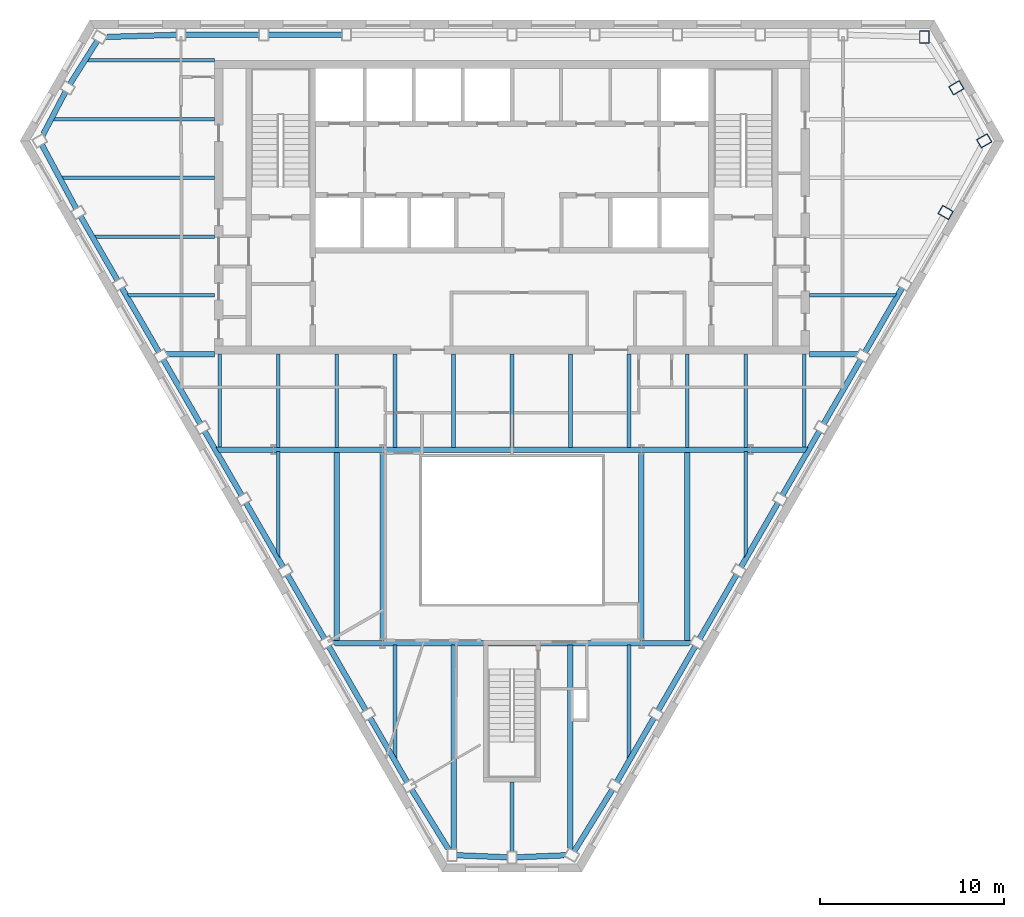
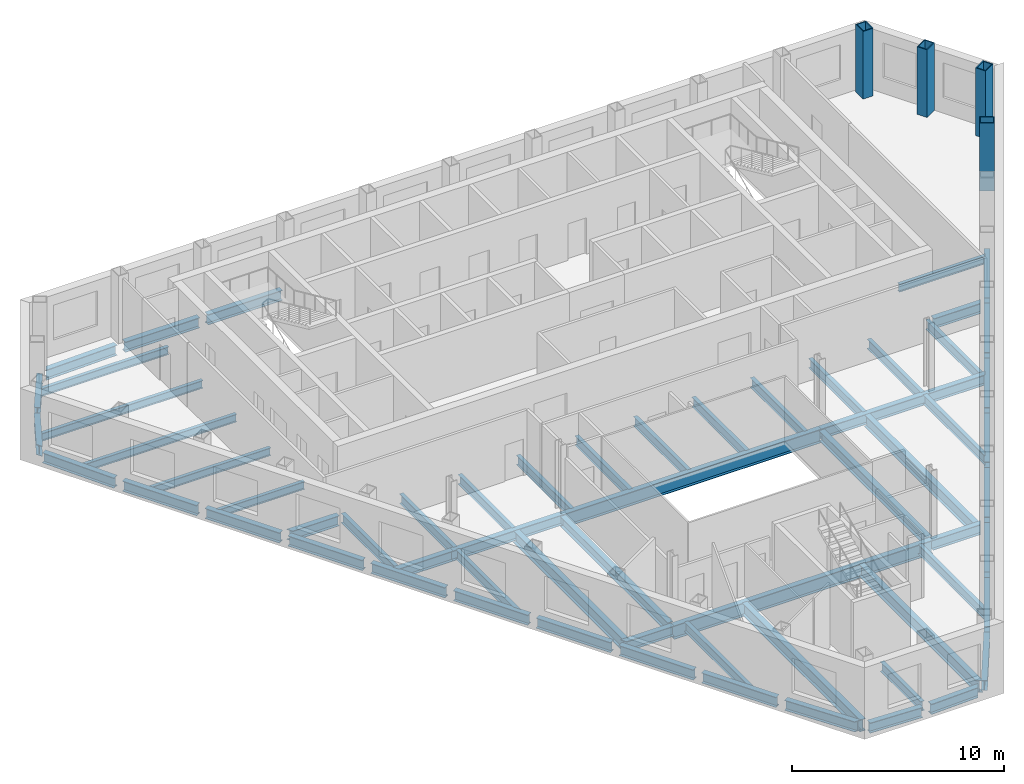
# One storey, part 2 of 10: 63 beams, 4 columns.
"""IFC4 building model written with IfcOpenShell, lengths in metres."""

from ifc_helpers import new_model, si_unit, direction, frame, origin, origin_2d, place, context, subcontext, project, spatial, hollow_rectangle, i_section, extrude, clip, halfspace, material, material_profile, profile_set, type_object, element, save


model = new_model("IFC4")

# Units and contexts
model_context = context("Model", 3, precision=1e-05, world=origin(), true_north=direction((0.0, 1.0)))
body_context = subcontext(model_context, "Body", "Model", "MODEL_VIEW")
ifc_project = project(units=[si_unit("LENGTHUNIT", "METRE"), si_unit("AREAUNIT", "SQUARE_METRE"), si_unit("VOLUMEUNIT", "CUBIC_METRE"), si_unit("PLANEANGLEUNIT", "RADIAN"), si_unit("MASSUNIT", "GRAM", prefix="KILO")], contexts=[model_context])

# Site, building, storey
site_placement = place(None, origin())
site = spatial("IfcSite", under=ifc_project, at=site_placement, CompositionType="ELEMENT")
building_placement = place(site_placement, origin())
building = spatial("IfcBuilding", under=site, at=building_placement, Name="Njiva Tower", CompositionType="ELEMENT")
storey_placement = place(building_placement, frame((0.0, 0.0, 200.4)))
storey = spatial("IfcBuildingStorey", under=building, at=storey_placement, Name="L44", CompositionType="ELEMENT", Elevation=200.4)

# Columns
ifc_material = material(Name="Steel S355 J2", Category="steel")
ifc_material_profile_1 = material_profile(ifc_material, hollow_rectangle(XDim=0.55, YDim=0.7, WallThickness=0.05, at=origin_2d()), Name="BOX 700x550x50")
ifc_profile_set_1 = profile_set([ifc_material_profile_1], Name="Steel S355 J2")
column_type = type_object("IfcColumnType", Name="C11 Perimeter tube column BOX 700x550x50", PredefinedType="COLUMN", material=ifc_profile_set_1)
for number, where, z_axis, x_axis, name in (
    (1, (22.461, 19.267, 0.0), (0.0, 0.0, 1.0), (-1.0, 0.0, 0.0), "Perimeter tube column S14-C01"),
    (2, (23.622, 9.714, 0.0), (0.0, 0.0, 1.0), (0.5, 0.866025403784, 0.0), "Perimeter tube column S14-C34"),
    (3, (25.723, 13.618, 0.0), (0.0, 0.0, 1.0), (-0.5, 0.866025403784, 0.0), "Perimeter tube column S14-C35"),
    (4, (24.207, 16.509, 0.0), (0.0, 0.0, 1.0), (-0.5, 0.866025403784, 0.0), "Perimeter tube column S14-C36"),
):
    element("IfcColumn", number, at=place(storey_placement, frame(where, z_axis=z_axis, x_axis=x_axis)), inside=storey, type_object=column_type, Name=name, PredefinedType="COLUMN", context=body_context, shape_type="SweptSolid", body=[
        extrude(hollow_rectangle(XDim=0.55, YDim=0.7, WallThickness=0.05, at=origin_2d()), origin(), (0.0, 0.0, 1.0), 3.9),
    ])

# Beams
ifc_material_profile_2 = material_profile(ifc_material, i_section(OverallWidth=0.3, OverallDepth=0.69, WebThickness=0.0145, FlangeThickness=0.027, at=origin_2d()), Name="HEA 700")
ifc_profile_set_2 = profile_set([ifc_material_profile_2], Name="Steel S355 J2")
beam_type_1 = type_object("IfcBeamType", Name="B12 Long-span floor joist HEA 700", PredefinedType="JOIST", material=ifc_profile_set_2)
beam_1_placement = place(storey_placement, frame((-9.55, -3.3, -0.545), z_axis=(0.0, -1.0, 0.0), x_axis=(1.0, 0.0, 0.0)))
element("IfcBeam", 5, at=beam_1_placement, inside=storey, type_object=beam_type_1, Name="Long-span floor joist S14-B055", PredefinedType="JOIST", context=body_context, shape_type="SweptSolid", body=[
    extrude(i_section(OverallWidth=0.3, OverallDepth=0.69, WebThickness=0.0145, FlangeThickness=0.027, at=origin_2d()), origin(), (0.0, 0.0, 1.0), 10.35),
])
beam_2_placement = place(storey_placement, frame((-3.183, -13.85, -0.545), z_axis=(0.0, -1.0, 0.0), x_axis=(1.0, 0.0, 0.0)))
element("IfcBeam", 6, at=beam_2_placement, inside=storey, type_object=beam_type_1, Name="Long-span floor joist S14-B060", PredefinedType="JOIST", context=body_context, shape_type="SweptSolid", body=[
    extrude(i_section(OverallWidth=0.3, OverallDepth=0.69, WebThickness=0.0145, FlangeThickness=0.027, at=origin_2d()), origin(), (0.0, 0.0, 1.0), 11.136),
])
beam_3_placement = place(storey_placement, frame((3.183, -13.85, -0.545), z_axis=(0.0, -1.0, 0.0), x_axis=(1.0, 0.0, 0.0)))
element("IfcBeam", 7, at=beam_3_placement, inside=storey, type_object=beam_type_1, Name="Long-span floor joist S14-B066", PredefinedType="JOIST", context=body_context, shape_type="Clipping", body=[
    clip(extrude(i_section(OverallWidth=0.3, OverallDepth=0.69, WebThickness=0.0145, FlangeThickness=0.027, at=origin_2d()), origin(), (0.0, 0.0, 1.0), 11.212), halfspace(frame((-0.0247, 0.0, 11.1169), z_axis=(-0.499998009787, 0.0, 0.866026552831), x_axis=(0.0, 1.0, 0.0)), False)),
])
beam_4_placement = place(storey_placement, frame((9.55, -3.3, -0.545), z_axis=(0.0, -1.0, 0.0), x_axis=(1.0, 0.0, 0.0)))
element("IfcBeam", 8, at=beam_4_placement, inside=storey, type_object=beam_type_1, Name="Long-span floor joist S14-B070", PredefinedType="JOIST", context=body_context, shape_type="SweptSolid", body=[
    extrude(i_section(OverallWidth=0.3, OverallDepth=0.69, WebThickness=0.0145, FlangeThickness=0.027, at=origin_2d()), origin(), (0.0, 0.0, 1.0), 10.35),
])
ifc_material_profile_3 = material_profile(ifc_material, i_section(OverallWidth=0.3, OverallDepth=0.59, WebThickness=0.013, FlangeThickness=0.025, at=origin_2d()), Name="HEA 600")
ifc_profile_set_3 = profile_set([ifc_material_profile_3], Name="Steel S355 J2")
beam_type_2 = type_object("IfcBeamType", Name="B27 Short-span spandrel beam HEA 600", PredefinedType="SPANDREL", material=ifc_profile_set_3)
beam_5_placement = place(storey_placement, frame((-9.24, 19.4, -0.495), z_axis=(-1.0, 0.0, 0.0), x_axis=(0.0, -1.0, 0.0)))
element("IfcBeam", 9, at=beam_5_placement, inside=storey, type_object=beam_type_2, Name="Short-span spandrel beam S14-B099", PredefinedType="SPANDREL", context=body_context, shape_type="SweptSolid", body=[
    extrude(i_section(OverallWidth=0.3, OverallDepth=0.59, WebThickness=0.013, FlangeThickness=0.025, at=origin_2d()), origin(), (0.0, 0.0, 1.0), 4.058),
])
beam_6_placement = place(storey_placement, frame((-13.748, 19.4, -0.495), z_axis=(-1.0, 0.0, 0.0), x_axis=(0.0, -1.0, 0.0)))
element("IfcBeam", 10, at=beam_6_placement, inside=storey, type_object=beam_type_2, Name="Short-span spandrel beam S14-B094", PredefinedType="SPANDREL", context=body_context, shape_type="SweptSolid", body=[
    extrude(i_section(OverallWidth=0.3, OverallDepth=0.59, WebThickness=0.013, FlangeThickness=0.025, at=origin_2d()), origin(), (0.0, 0.0, 1.0), 4.057),
])
beam_7_placement = place(storey_placement, frame((-18.259, 19.393, -0.495), z_axis=(-0.999546404273, -0.03011620335, 0.0), x_axis=(0.03011620335, -0.999546404273, 0.0)))
element("IfcBeam", 11, at=beam_7_placement, inside=storey, type_object=beam_type_2, Name="Short-span spandrel beam S14-B089", PredefinedType="SPANDREL", context=body_context, shape_type="Clipping", body=[
    clip(extrude(i_section(OverallWidth=0.3, OverallDepth=0.59, WebThickness=0.013, FlangeThickness=0.025, at=origin_2d()), origin(), (0.0, 0.0, 1.0), 3.9647), halfspace(frame((-0.0268, 0.0, 3.835), z_axis=(-0.525852644597, 0.0, 0.850575685151), x_axis=(0.0, 1.0, 0.0)), False)),
])
beam_8_placement = place(storey_placement, frame((-22.584, 19.072, -0.495), z_axis=(-0.535119977312, -0.84477607085, 0.0), x_axis=(0.84477607085, -0.535119977312, 0.0)))
element("IfcBeam", 12, at=beam_8_placement, inside=storey, type_object=beam_type_2, Name="Short-span spandrel beam S14-B086", PredefinedType="SPANDREL", context=body_context, shape_type="SweptSolid", body=[
    extrude(i_section(OverallWidth=0.3, OverallDepth=0.59, WebThickness=0.013, FlangeThickness=0.025, at=origin_2d()), origin(), (0.0, 0.0, 1.0), 2.8031),
])
beam_9_placement = place(storey_placement, frame((-24.314, 16.305, -0.495), z_axis=(-0.464299843048, -0.885678076812, 0.0), x_axis=(0.885678076812, -0.464299843048, 0.0)))
element("IfcBeam", 13, at=beam_9_placement, inside=storey, type_object=beam_type_2, Name="Short-span spandrel beam S14-B083", PredefinedType="SPANDREL", context=body_context, shape_type="Clipping", body=[
    clip(extrude(i_section(OverallWidth=0.3, OverallDepth=0.59, WebThickness=0.013, FlangeThickness=0.025, at=origin_2d()), origin(), (0.0, 0.0, 1.0), 2.7943), halfspace(frame((-0.0268, 0.0, 2.6622), z_axis=(-0.534871734311, 0.0, 0.844933268273), x_axis=(0.0, 1.0, 0.0)), False)),
])
beam_10_placement = place(storey_placement, frame((-25.614, 13.417, -0.495), z_axis=(0.473574818702, -0.880753592721, 0.0), x_axis=(0.880753592721, 0.473574818702, 0.0)))
element("IfcBeam", 14, at=beam_10_placement, inside=storey, type_object=beam_type_2, Name="Short-span spandrel beam S14-B082", PredefinedType="SPANDREL", context=body_context, shape_type="SweptSolid", body=[
    extrude(i_section(OverallWidth=0.3, OverallDepth=0.59, WebThickness=0.013, FlangeThickness=0.025, at=origin_2d()), origin(), (0.0, 0.0, 1.0), 3.9761),
])
beam_11_placement = place(storey_placement, frame((-23.51, 9.519, -0.495), z_axis=(0.500142068684, -0.865943364853, 0.0), x_axis=(0.865943364853, 0.500142068684, 0.0)))
element("IfcBeam", 15, at=beam_11_placement, inside=storey, type_object=beam_type_2, Name="Short-span spandrel beam S14-B087", PredefinedType="SPANDREL", context=body_context, shape_type="SweptSolid", body=[
    extrude(i_section(OverallWidth=0.3, OverallDepth=0.59, WebThickness=0.013, FlangeThickness=0.025, at=origin_2d()), origin(), (0.0, 0.0, 1.0), 4.0568),
])
for number, where, z_axis, x_axis, name in (
    (16, (-21.256, 5.616, -0.495), (0.500035331196, -0.866005004348, 0.0), (0.866005004348, 0.500035331196, 0.0), "Short-span spandrel beam S14-B090"),
    (17, (-19.002, 1.712, -0.495), (0.500035331196, -0.866005004348, 0.0), (0.866005004348, 0.500035331196, 0.0), "Short-span spandrel beam S14-B092"),
):
    element("IfcBeam", number, at=place(storey_placement, frame(where, z_axis=z_axis, x_axis=x_axis)), inside=storey, type_object=beam_type_2, Name=name, PredefinedType="SPANDREL", context=body_context, shape_type="SweptSolid", body=[
        extrude(i_section(OverallWidth=0.3, OverallDepth=0.59, WebThickness=0.013, FlangeThickness=0.025, at=origin_2d()), origin(), (0.0, 0.0, 1.0), 4.0577),
    ])
beam_12_placement = place(storey_placement, frame((-16.748, -2.192, -0.495), z_axis=(0.499957196903, -0.866050114754, 0.0), x_axis=(0.866050114754, 0.499957196903, 0.0)))
element("IfcBeam", 18, at=beam_12_placement, inside=storey, type_object=beam_type_2, Name="Short-span spandrel beam S14-B095", PredefinedType="SPANDREL", context=body_context, shape_type="SweptSolid", body=[
    extrude(i_section(OverallWidth=0.3, OverallDepth=0.59, WebThickness=0.013, FlangeThickness=0.025, at=origin_2d()), origin(), (0.0, 0.0, 1.0), 4.0563),
])
for number, where, z_axis, x_axis, name in (
    (19, (-14.495, -6.095, -0.495), (0.500035331196, -0.866005004348, 0.0), (0.866005004348, 0.500035331196, 0.0), "Short-span spandrel beam S14-B097"),
    (20, (-12.241, -9.999, -0.495), (0.500035331196, -0.866005004348, 0.0), (0.866005004348, 0.500035331196, 0.0), "Short-span spandrel beam S14-B100"),
    (21, (-9.987, -13.903, -0.495), (0.500035331196, -0.866005004348, 0.0), (0.866005004348, 0.500035331196, 0.0), "Short-span spandrel beam S14-B102"),
):
    element("IfcBeam", number, at=place(storey_placement, frame(where, z_axis=z_axis, x_axis=x_axis)), inside=storey, type_object=beam_type_2, Name=name, PredefinedType="SPANDREL", context=body_context, shape_type="SweptSolid", body=[
        extrude(i_section(OverallWidth=0.3, OverallDepth=0.59, WebThickness=0.013, FlangeThickness=0.025, at=origin_2d()), origin(), (0.0, 0.0, 1.0), 4.0577),
    ])
beam_13_placement = place(storey_placement, frame((-7.733, -17.807, -0.495), z_axis=(0.499957196903, -0.866050114754, 0.0), x_axis=(0.866050114754, 0.499957196903, 0.0)))
element("IfcBeam", 22, at=beam_13_placement, inside=storey, type_object=beam_type_2, Name="Short-span spandrel beam S14-B105", PredefinedType="SPANDREL", context=body_context, shape_type="SweptSolid", body=[
    extrude(i_section(OverallWidth=0.3, OverallDepth=0.59, WebThickness=0.013, FlangeThickness=0.025, at=origin_2d()), origin(), (0.0, 0.0, 1.0), 4.0563),
])
beam_14_placement = place(storey_placement, frame((-5.472, -21.71, -0.495), z_axis=(0.525791356516, -0.850613572319, 0.0), x_axis=(0.850613572319, 0.525791356516, 0.0)))
element("IfcBeam", 23, at=beam_14_placement, inside=storey, type_object=beam_type_2, Name="Short-span spandrel beam S14-B107", PredefinedType="SPANDREL", context=body_context, shape_type="Clipping", body=[
    clip(extrude(i_section(OverallWidth=0.3, OverallDepth=0.59, WebThickness=0.013, FlangeThickness=0.025, at=origin_2d()), origin(), (0.0, 0.0, 1.0), 3.9643), halfspace(frame((-0.0259, 0.0, 3.8353), z_axis=(-0.525791356516, 0.0, 0.850613572319), x_axis=(0.0, 1.0, 0.0)), False)),
])
beam_15_placement = place(storey_placement, frame((-3.031, -25.295, -0.495), z_axis=(0.999158235052, -0.041022205295, 0.0), x_axis=(0.041022205295, 0.999158235052, 0.0)))
element("IfcBeam", 24, at=beam_15_placement, inside=storey, type_object=beam_type_2, Name="Short-span spandrel beam S14-B111", PredefinedType="SPANDREL", context=body_context, shape_type="SweptSolid", body=[
    extrude(i_section(OverallWidth=0.3, OverallDepth=0.59, WebThickness=0.013, FlangeThickness=0.025, at=origin_2d()), origin(), (0.0, 0.0, 1.0), 2.8034),
])
beam_16_placement = place(storey_placement, frame((0.23, -25.41, -0.495), z_axis=(0.999156212267, 0.041071443703, 0.0), x_axis=(-0.041071443703, 0.999156212267, 0.0)))
element("IfcBeam", 25, at=beam_16_placement, inside=storey, type_object=beam_type_2, Name="Short-span spandrel beam S14-B113", PredefinedType="SPANDREL", context=body_context, shape_type="Clipping", body=[
    clip(extrude(i_section(OverallWidth=0.3, OverallDepth=0.59, WebThickness=0.013, FlangeThickness=0.025, at=origin_2d()), origin(), (0.0, 0.0, 1.0), 2.7933), halfspace(frame((-0.0271, 0.0, 2.6616), z_axis=(-0.53514507841, 0.0, 0.844760170139), x_axis=(0.0, 1.0, 0.0)), False)),
])
beam_17_placement = place(storey_placement, frame((3.381, -25.091, -0.495), z_axis=(0.52599085004, 0.850490226678, 0.0), x_axis=(-0.850490226678, 0.52599085004, 0.0)))
element("IfcBeam", 26, at=beam_17_placement, inside=storey, type_object=beam_type_2, Name="Short-span spandrel beam S14-B116", PredefinedType="SPANDREL", context=body_context, shape_type="SweptSolid", body=[
    extrude(i_section(OverallWidth=0.3, OverallDepth=0.59, WebThickness=0.013, FlangeThickness=0.025, at=origin_2d()), origin(), (0.0, 0.0, 1.0), 3.9754),
])
beam_18_placement = place(storey_placement, frame((5.705, -21.32, -0.495), z_axis=(0.499957196903, 0.866050114754, 0.0), x_axis=(-0.866050114754, 0.499957196903, 0.0)))
element("IfcBeam", 27, at=beam_18_placement, inside=storey, type_object=beam_type_2, Name="Short-span spandrel beam S14-B119", PredefinedType="SPANDREL", context=body_context, shape_type="SweptSolid", body=[
    extrude(i_section(OverallWidth=0.3, OverallDepth=0.59, WebThickness=0.013, FlangeThickness=0.025, at=origin_2d()), origin(), (0.0, 0.0, 1.0), 4.0563),
])
for number, where, z_axis, x_axis, name in (
    (28, (7.958, -17.417, -0.495), (0.500035331196, 0.866005004348, 0.0), (-0.866005004348, 0.500035331196, 0.0), "Short-span spandrel beam S14-B121"),
    (29, (10.212, -13.513, -0.495), (0.500035331196, 0.866005004348, 0.0), (-0.866005004348, 0.500035331196, 0.0), "Short-span spandrel beam S14-B124"),
    (30, (12.466, -9.609, -0.495), (0.500035331196, 0.866005004348, 0.0), (-0.866005004348, 0.500035331196, 0.0), "Short-span spandrel beam S14-B126"),
):
    element("IfcBeam", number, at=place(storey_placement, frame(where, z_axis=z_axis, x_axis=x_axis)), inside=storey, type_object=beam_type_2, Name=name, PredefinedType="SPANDREL", context=body_context, shape_type="SweptSolid", body=[
        extrude(i_section(OverallWidth=0.3, OverallDepth=0.59, WebThickness=0.013, FlangeThickness=0.025, at=origin_2d()), origin(), (0.0, 0.0, 1.0), 4.0577),
    ])
beam_19_placement = place(storey_placement, frame((14.72, -5.705, -0.495), z_axis=(0.499957196903, 0.866050114754, 0.0), x_axis=(-0.866050114754, 0.499957196903, 0.0)))
element("IfcBeam", 31, at=beam_19_placement, inside=storey, type_object=beam_type_2, Name="Short-span spandrel beam S14-B129", PredefinedType="SPANDREL", context=body_context, shape_type="SweptSolid", body=[
    extrude(i_section(OverallWidth=0.3, OverallDepth=0.59, WebThickness=0.013, FlangeThickness=0.025, at=origin_2d()), origin(), (0.0, 0.0, 1.0), 4.0563),
])
for number, where, z_axis, x_axis, name in (
    (32, (16.973, -1.802, -0.495), (0.500035331196, 0.866005004348, 0.0), (-0.866005004348, 0.500035331196, 0.0), "Short-span spandrel beam S14-B131"),
    (33, (19.227, 2.102, -0.495), (0.500035331196, 0.866005004348, 0.0), (-0.866005004348, 0.500035331196, 0.0), "Short-span spandrel beam S14-B134"),
):
    element("IfcBeam", number, at=place(storey_placement, frame(where, z_axis=z_axis, x_axis=x_axis)), inside=storey, type_object=beam_type_2, Name=name, PredefinedType="SPANDREL", context=body_context, shape_type="SweptSolid", body=[
        extrude(i_section(OverallWidth=0.3, OverallDepth=0.59, WebThickness=0.013, FlangeThickness=0.025, at=origin_2d()), origin(), (0.0, 0.0, 1.0), 4.0577),
    ])
ifc_material_profile_4 = material_profile(ifc_material, i_section(OverallWidth=0.3, OverallDepth=0.59, WebThickness=0.013, FlangeThickness=0.025, at=origin_2d()), Name="HEA 600")
ifc_profile_set_4 = profile_set([ifc_material_profile_4], Name="Steel S355 J2")
beam_type_3 = type_object("IfcBeamType", Name="B28 Floor girder HEA 600", PredefinedType="BEAM", material=ifc_profile_set_4)
for number, where, z_axis, x_axis, name in (
    (34, (-13.0, -3.2, -0.495), (1.0, 0.0, 0.0), (0.0, 1.0, 0.0), "Floor girder S14-B014"),
    (35, (7.05, -3.2, -0.495), (1.0, 0.0, 0.0), (0.0, 1.0, 0.0), "Floor girder S14-B019"),
):
    element("IfcBeam", number, at=place(storey_placement, frame(where, z_axis=z_axis, x_axis=x_axis)), inside=storey, type_object=beam_type_3, Name=name, PredefinedType="BEAM", context=body_context, shape_type="SweptSolid", body=[
        extrude(i_section(OverallWidth=0.3, OverallDepth=0.59, WebThickness=0.013, FlangeThickness=0.025, at=origin_2d()), origin(), (0.0, 0.0, 1.0), 5.95),
    ])
ifc_material_profile_5 = material_profile(ifc_material, i_section(OverallWidth=0.3, OverallDepth=0.59, WebThickness=0.013, FlangeThickness=0.025, at=origin_2d()), Name="HEA 600")
ifc_profile_set_5 = profile_set([ifc_material_profile_5], Name="Steel S355 J2")
beam_type_4 = type_object("IfcBeamType", Name="B29 Short-span floor girder HEA 600", PredefinedType="BEAM", material=ifc_profile_set_5)
beam_20_placement = place(storey_placement, frame((-16.158, -3.2, -0.495), z_axis=(1.0, 0.0, 0.0), x_axis=(0.0, 1.0, 0.0)))
element("IfcBeam", 36, at=beam_20_placement, inside=storey, type_object=beam_type_4, Name="Short-span floor girder S14-B013", PredefinedType="BEAM", context=body_context, shape_type="Clipping", body=[
    clip(extrude(i_section(OverallWidth=0.3, OverallDepth=0.59, WebThickness=0.013, FlangeThickness=0.025, at=origin_2d()), origin(), (0.0, 0.0, 1.0), 3.158), halfspace(frame((-0.025, 0.0, 0.1217), z_axis=(-0.499998009787, 0.0, -0.866026552831), x_axis=(0.0, -1.0, 0.0)), False)),
])
beam_21_placement = place(storey_placement, frame((13.0, -3.2, -0.495), z_axis=(1.0, 0.0, 0.0), x_axis=(0.0, 1.0, 0.0)))
element("IfcBeam", 37, at=beam_21_placement, inside=storey, type_object=beam_type_4, Name="Short-span floor girder S14-B020", PredefinedType="BEAM", context=body_context, shape_type="Clipping", body=[
    clip(extrude(i_section(OverallWidth=0.3, OverallDepth=0.59, WebThickness=0.013, FlangeThickness=0.025, at=origin_2d()), origin(), (0.0, 0.0, 1.0), 3.158), halfspace(frame((-0.025, 0.0, 3.0363), z_axis=(-0.499998009787, 0.0, 0.866026552831), x_axis=(0.0, 1.0, 0.0)), False)),
])
beam_22_placement = place(storey_placement, frame((-9.836, -13.75, -0.495), z_axis=(1.0, 0.0, 0.0), x_axis=(0.0, 1.0, 0.0)))
element("IfcBeam", 38, at=beam_22_placement, inside=storey, type_object=beam_type_4, Name="Short-span floor girder S14-B016", PredefinedType="BEAM", context=body_context, shape_type="Clipping", body=[
    clip(extrude(i_section(OverallWidth=0.3, OverallDepth=0.59, WebThickness=0.013, FlangeThickness=0.025, at=origin_2d()), origin(), (0.0, 0.0, 1.0), 2.786), halfspace(frame((-0.025, 0.0, 0.1211), z_axis=(-0.499998009787, 0.0, -0.866026552831), x_axis=(0.0, -1.0, 0.0)), False)),
])
beam_23_placement = place(storey_placement, frame((7.05, -13.75, -0.495), z_axis=(1.0, 0.0, 0.0), x_axis=(0.0, 1.0, 0.0)))
element("IfcBeam", 39, at=beam_23_placement, inside=storey, type_object=beam_type_4, Name="Short-span floor girder S14-B017", PredefinedType="BEAM", context=body_context, shape_type="Clipping", body=[
    clip(extrude(i_section(OverallWidth=0.3, OverallDepth=0.59, WebThickness=0.013, FlangeThickness=0.025, at=origin_2d()), origin(), (0.0, 0.0, 1.0), 2.786), halfspace(frame((-0.025, 0.0, 2.6649), z_axis=(-0.499998009787, 0.0, 0.866026552831), x_axis=(0.0, 1.0, 0.0)), False)),
])
beam_24_placement = place(storey_placement, frame((-18.929, 2.0, -0.495), z_axis=(1.0, 0.0, 0.0), x_axis=(0.0, 1.0, 0.0)))
element("IfcBeam", 40, at=beam_24_placement, inside=storey, type_object=beam_type_4, Name="Short-span floor girder S14-B012", PredefinedType="BEAM", context=body_context, shape_type="Clipping", body=[
    clip(extrude(i_section(OverallWidth=0.3, OverallDepth=0.59, WebThickness=0.013, FlangeThickness=0.025, at=origin_2d()), origin(), (0.0, 0.0, 1.0), 2.729), halfspace(frame((-0.025, 0.0, 0.1212), z_axis=(-0.499998009787, 0.0, -0.866026552831), x_axis=(0.0, -1.0, 0.0)), False)),
])
beam_25_placement = place(storey_placement, frame((16.2, 2.0, -0.495), z_axis=(1.0, 0.0, 0.0), x_axis=(0.0, 1.0, 0.0)))
element("IfcBeam", 41, at=beam_25_placement, inside=storey, type_object=beam_type_4, Name="Short-span floor girder S14-B021", PredefinedType="BEAM", context=body_context, shape_type="Clipping", body=[
    clip(extrude(i_section(OverallWidth=0.3, OverallDepth=0.59, WebThickness=0.013, FlangeThickness=0.025, at=origin_2d()), origin(), (0.0, 0.0, 1.0), 2.729), halfspace(frame((-0.025, 0.0, 2.6078), z_axis=(-0.499998009787, 0.0, 0.866026552831), x_axis=(0.0, 1.0, 0.0)), False)),
])
ifc_material_profile_6 = material_profile(ifc_material, i_section(OverallWidth=0.3, OverallDepth=0.59, WebThickness=0.013, FlangeThickness=0.025, at=origin_2d()), Name="HEA 600")
ifc_profile_set_6 = profile_set([ifc_material_profile_6], Name="Steel S355 J2")
beam_type_5 = type_object("IfcBeamType", Name="B30 Long-span atrium trimmer beam HEA 600", PredefinedType="BEAM", material=ifc_profile_set_6)
for number, where, z_axis, x_axis, name in (
    (42, (7.05, -13.538, -0.495), (0.0, 1.0, 0.0), (-1.0, 0.0, 0.0), "Long-span atrium trimmer beam S14-B080"),
    (43, (-7.05, -3.412, -0.495), (0.0, -1.0, 0.0), (1.0, 0.0, 0.0), "Long-span atrium trimmer beam S14-B077"),
):
    element("IfcBeam", number, at=place(storey_placement, frame(where, z_axis=z_axis, x_axis=x_axis)), inside=storey, type_object=beam_type_5, Name=name, PredefinedType="BEAM", context=body_context, shape_type="SweptSolid", body=[
        extrude(i_section(OverallWidth=0.3, OverallDepth=0.59, WebThickness=0.013, FlangeThickness=0.025, at=origin_2d()), origin(), (0.0, 0.0, 1.0), 10.126),
    ])
ifc_material_profile_7 = material_profile(ifc_material, i_section(OverallWidth=0.21, OverallDepth=0.55, WebThickness=0.0111, FlangeThickness=0.0172, at=origin_2d()), Name="IPE 550")
ifc_profile_set_7 = profile_set([ifc_material_profile_7], Name="Steel S355 J2")
beam_type_6 = type_object("IfcBeamType", Name="B31 Short-span floor joist IPE 550", PredefinedType="JOIST", material=ifc_profile_set_7)
beam_26_placement = place(storey_placement, frame((0.0, -21.3, -0.475), z_axis=(0.0, -1.0, 0.0), x_axis=(1.0, 0.0, 0.0)))
element("IfcBeam", 44, at=beam_26_placement, inside=storey, type_object=beam_type_6, Name="Short-span floor joist S14-B063", PredefinedType="JOIST", context=body_context, shape_type="SweptSolid", body=[
    extrude(i_section(OverallWidth=0.21, OverallDepth=0.55, WebThickness=0.0111, FlangeThickness=0.0172, at=origin_2d()), origin(), (0.0, 0.0, 1.0), 3.819),
])
ifc_material_profile_8 = material_profile(ifc_material, i_section(OverallWidth=0.21, OverallDepth=0.55, WebThickness=0.0111, FlangeThickness=0.0172, at=origin_2d()), Name="IPE 550")
ifc_profile_set_8 = profile_set([ifc_material_profile_8], Name="Steel S355 J2")
beam_type_7 = type_object("IfcBeamType", Name="B32 Floor joist IPE 550", PredefinedType="JOIST", material=ifc_profile_set_8)
for number, where, z_axis, x_axis, name in (
    (45, (-15.917, 1.995, -0.475), (0.0, -1.0, 0.0), (1.0, 0.0, 0.0), "Floor joist S14-B052"),
    (46, (-12.733, 1.995, -0.475), (0.0, -1.0, 0.0), (1.0, 0.0, 0.0), "Floor joist S14-B054"),
):
    element("IfcBeam", number, at=place(storey_placement, frame(where, z_axis=z_axis, x_axis=x_axis)), inside=storey, type_object=beam_type_7, Name=name, PredefinedType="JOIST", context=body_context, shape_type="SweptSolid", body=[
        extrude(i_section(OverallWidth=0.21, OverallDepth=0.55, WebThickness=0.0111, FlangeThickness=0.0172, at=origin_2d()), origin(), (0.0, 0.0, 1.0), 5.095),
    ])
beam_27_placement = place(storey_placement, frame((-12.733, -3.3, -0.475), z_axis=(0.0, -1.0, 0.0), x_axis=(1.0, 0.0, 0.0)))
element("IfcBeam", 47, at=beam_27_placement, inside=storey, type_object=beam_type_7, Name="Floor joist S14-B053", PredefinedType="JOIST", context=body_context, shape_type="Clipping", body=[
    clip(extrude(i_section(OverallWidth=0.21, OverallDepth=0.55, WebThickness=0.0111, FlangeThickness=0.0172, at=origin_2d()), origin(), (0.0, 0.0, 1.0), 5.848), halfspace(frame((-0.0436, 0.0, 5.571), z_axis=(-0.866026552831, 0.0, 0.499998009787), x_axis=(0.0, 1.0, 0.0)), False)),
])
for number, where, z_axis, x_axis, name in (
    (48, (-9.55, 1.995, -0.475), (0.0, -1.0, 0.0), (1.0, 0.0, 0.0), "Floor joist S14-B056"),
    (49, (-6.367, 1.995, -0.475), (0.0, -1.0, 0.0), (1.0, 0.0, 0.0), "Floor joist S14-B058"),
):
    element("IfcBeam", number, at=place(storey_placement, frame(where, z_axis=z_axis, x_axis=x_axis)), inside=storey, type_object=beam_type_7, Name=name, PredefinedType="JOIST", context=body_context, shape_type="SweptSolid", body=[
        extrude(i_section(OverallWidth=0.21, OverallDepth=0.55, WebThickness=0.0111, FlangeThickness=0.0172, at=origin_2d()), origin(), (0.0, 0.0, 1.0), 5.095),
    ])
beam_28_placement = place(storey_placement, frame((-6.367, -13.85, -0.475), z_axis=(0.0, -1.0, 0.0), x_axis=(1.0, 0.0, 0.0)))
element("IfcBeam", 50, at=beam_28_placement, inside=storey, type_object=beam_type_7, Name="Floor joist S14-B057", PredefinedType="JOIST", context=body_context, shape_type="Clipping", body=[
    clip(extrude(i_section(OverallWidth=0.21, OverallDepth=0.55, WebThickness=0.0111, FlangeThickness=0.0172, at=origin_2d()), origin(), (0.0, 0.0, 1.0), 6.325), halfspace(frame((-0.043, 0.0, 6.0484), z_axis=(-0.866026552831, 0.0, 0.499998009787), x_axis=(0.0, 1.0, 0.0)), False)),
])
for number, where, z_axis, x_axis, name in (
    (51, (-3.183, 1.995, -0.475), (0.0, -1.0, 0.0), (1.0, 0.0, 0.0), "Floor joist S14-B061"),
    (52, (0.0, 1.995, -0.475), (0.0, -1.0, 0.0), (1.0, 0.0, 0.0), "Floor joist S14-B064"),
    (53, (3.183, 1.995, -0.475), (0.0, -1.0, 0.0), (1.0, 0.0, 0.0), "Floor joist S14-B067"),
    (54, (6.367, 1.995, -0.475), (0.0, -1.0, 0.0), (1.0, 0.0, 0.0), "Floor joist S14-B069"),
):
    element("IfcBeam", number, at=place(storey_placement, frame(where, z_axis=z_axis, x_axis=x_axis)), inside=storey, type_object=beam_type_7, Name=name, PredefinedType="JOIST", context=body_context, shape_type="SweptSolid", body=[
        extrude(i_section(OverallWidth=0.21, OverallDepth=0.55, WebThickness=0.0111, FlangeThickness=0.0172, at=origin_2d()), origin(), (0.0, 0.0, 1.0), 5.095),
    ])
beam_29_placement = place(storey_placement, frame((6.367, -13.85, -0.475), z_axis=(0.0, -1.0, 0.0), x_axis=(1.0, 0.0, 0.0)))
element("IfcBeam", 55, at=beam_29_placement, inside=storey, type_object=beam_type_7, Name="Floor joist S14-B068", PredefinedType="JOIST", context=body_context, shape_type="Clipping", body=[
    clip(extrude(i_section(OverallWidth=0.21, OverallDepth=0.55, WebThickness=0.0111, FlangeThickness=0.0172, at=origin_2d()), origin(), (0.0, 0.0, 1.0), 6.325), halfspace(frame((0.043, 0.0, 6.0484), z_axis=(0.866026552831, 0.0, 0.499998009787), x_axis=(0.0, 1.0, 0.0)), False)),
])
for number, where, z_axis, x_axis, name in (
    (56, (9.55, 1.995, -0.475), (0.0, -1.0, 0.0), (1.0, 0.0, 0.0), "Floor joist S14-B071"),
    (57, (12.733, 1.995, -0.475), (0.0, -1.0, 0.0), (1.0, 0.0, 0.0), "Floor joist S14-B073"),
):
    element("IfcBeam", number, at=place(storey_placement, frame(where, z_axis=z_axis, x_axis=x_axis)), inside=storey, type_object=beam_type_7, Name=name, PredefinedType="JOIST", context=body_context, shape_type="SweptSolid", body=[
        extrude(i_section(OverallWidth=0.21, OverallDepth=0.55, WebThickness=0.0111, FlangeThickness=0.0172, at=origin_2d()), origin(), (0.0, 0.0, 1.0), 5.095),
    ])
beam_30_placement = place(storey_placement, frame((12.733, -3.3, -0.475), z_axis=(0.0, -1.0, 0.0), x_axis=(1.0, 0.0, 0.0)))
element("IfcBeam", 58, at=beam_30_placement, inside=storey, type_object=beam_type_7, Name="Floor joist S14-B072", PredefinedType="JOIST", context=body_context, shape_type="Clipping", body=[
    clip(extrude(i_section(OverallWidth=0.21, OverallDepth=0.55, WebThickness=0.0111, FlangeThickness=0.0172, at=origin_2d()), origin(), (0.0, 0.0, 1.0), 5.848), halfspace(frame((0.0436, 0.0, 5.571), z_axis=(0.866026552831, 0.0, 0.499998009787), x_axis=(0.0, 1.0, 0.0)), False)),
])
beam_31_placement = place(storey_placement, frame((15.917, 1.995, -0.475), z_axis=(0.0, -1.0, 0.0), x_axis=(1.0, 0.0, 0.0)))
element("IfcBeam", 59, at=beam_31_placement, inside=storey, type_object=beam_type_7, Name="Floor joist S14-B074", PredefinedType="JOIST", context=body_context, shape_type="SweptSolid", body=[
    extrude(i_section(OverallWidth=0.21, OverallDepth=0.55, WebThickness=0.0111, FlangeThickness=0.0172, at=origin_2d()), origin(), (0.0, 0.0, 1.0), 5.095),
])
ifc_material_profile_9 = material_profile(ifc_material, i_section(OverallWidth=0.19, OverallDepth=0.45, WebThickness=0.0094, FlangeThickness=0.0146, at=origin_2d()), Name="IPE 450")
ifc_profile_set_9 = profile_set([ifc_material_profile_9], Name="Steel S355 J2")
beam_type_8 = type_object("IfcBeamType", Name="B37 Floor beam to the core IPE 450", PredefinedType="BEAM", material=ifc_profile_set_9)
beam_32_placement = place(storey_placement, frame((-20.976, 5.2, -0.425), z_axis=(1.0, 0.0, 0.0), x_axis=(0.0, 1.0, 0.0)))
element("IfcBeam", 60, at=beam_32_placement, inside=storey, type_object=beam_type_8, Name="Floor beam to the core S14-B005", PredefinedType="BEAM", context=body_context, shape_type="Clipping", body=[
    clip(extrude(i_section(OverallWidth=0.19, OverallDepth=0.45, WebThickness=0.0094, FlangeThickness=0.0146, at=origin_2d()), origin(), (0.0, 0.0, 1.0), 4.776), halfspace(frame((-0.025, 0.0, 0.0899), z_axis=(-0.499998009787, 0.0, -0.866026552831), x_axis=(0.0, -1.0, 0.0)), False)),
])
beam_33_placement = place(storey_placement, frame((16.2, 5.2, -0.425), z_axis=(1.0, 0.0, 0.0), x_axis=(0.0, 1.0, 0.0)))
element("IfcBeam", 61, at=beam_33_placement, inside=storey, type_object=beam_type_8, Name="Floor beam to the core S14-B006", PredefinedType="BEAM", context=body_context, shape_type="Clipping", body=[
    clip(extrude(i_section(OverallWidth=0.19, OverallDepth=0.45, WebThickness=0.0094, FlangeThickness=0.0146, at=origin_2d()), origin(), (0.0, 0.0, 1.0), 4.776), halfspace(frame((-0.025, 0.0, 4.6861), z_axis=(-0.499998009787, 0.0, 0.866026552831), x_axis=(0.0, 1.0, 0.0)), False)),
])
beam_34_placement = place(storey_placement, frame((-22.823, 8.4, -0.425), z_axis=(1.0, 0.0, 0.0), x_axis=(0.0, 1.0, 0.0)))
element("IfcBeam", 62, at=beam_34_placement, inside=storey, type_object=beam_type_8, Name="Floor beam to the core S14-B004", PredefinedType="BEAM", context=body_context, shape_type="Clipping", body=[
    clip(extrude(i_section(OverallWidth=0.19, OverallDepth=0.45, WebThickness=0.0094, FlangeThickness=0.0146, at=origin_2d()), origin(), (0.0, 0.0, 1.0), 6.623), halfspace(frame((-0.025, 0.0, 0.0894), z_axis=(-0.499998009787, 0.0, -0.866026552831), x_axis=(0.0, -1.0, 0.0)), False)),
])
beam_35_placement = place(storey_placement, frame((-24.594, 11.6, -0.425), z_axis=(1.0, 0.0, 0.0), x_axis=(0.0, 1.0, 0.0)))
element("IfcBeam", 63, at=beam_35_placement, inside=storey, type_object=beam_type_8, Name="Floor beam to the core S14-B002", PredefinedType="BEAM", context=body_context, shape_type="Clipping", body=[
    clip(extrude(i_section(OverallWidth=0.19, OverallDepth=0.45, WebThickness=0.0094, FlangeThickness=0.0146, at=origin_2d()), origin(), (0.0, 0.0, 1.0), 8.394), halfspace(frame((-0.0237, 0.0, 0.0835), z_axis=(-0.473769423091, 0.0, -0.880648927634), x_axis=(0.0, -1.0, 0.0)), False)),
])
beam_36_placement = place(storey_placement, frame((-25.06, 14.8, -0.425), z_axis=(1.0, 0.0, 0.0), x_axis=(0.0, 1.0, 0.0)))
element("IfcBeam", 64, at=beam_36_placement, inside=storey, type_object=beam_type_8, Name="Floor beam to the core S14-B001", PredefinedType="BEAM", context=body_context, shape_type="Clipping", body=[
    clip(extrude(i_section(OverallWidth=0.19, OverallDepth=0.45, WebThickness=0.0094, FlangeThickness=0.0146, at=origin_2d()), origin(), (0.0, 0.0, 1.0), 8.86), halfspace(frame((0.0232, 0.0, 0.082), z_axis=(0.464267418007, 0.0, -0.885695074265), x_axis=(0.0, -1.0, 0.0)), False)),
])
beam_37_placement = place(storey_placement, frame((-23.225, 18.0, -0.425), z_axis=(1.0, 0.0, 0.0), x_axis=(0.0, 1.0, 0.0)))
element("IfcBeam", 65, at=beam_37_placement, inside=storey, type_object=beam_type_8, Name="Floor beam to the core S14-B003", PredefinedType="BEAM", context=body_context, shape_type="Clipping", body=[
    clip(extrude(i_section(OverallWidth=0.19, OverallDepth=0.45, WebThickness=0.0094, FlangeThickness=0.0146, at=origin_2d()), origin(), (0.0, 0.0, 1.0), 7.025), halfspace(frame((0.0267, 0.0, 0.097), z_axis=(0.534902428971, 0.0, -0.84491383672), x_axis=(0.0, -1.0, 0.0)), False)),
])
ifc_material_profile_10 = material_profile(ifc_material, i_section(OverallWidth=0.3, OverallDepth=0.79, WebThickness=0.015, FlangeThickness=0.028, at=origin_2d()), Name="HEA 800")
ifc_profile_set_10 = profile_set([ifc_material_profile_10], Name="Steel S355 J2")
beam_type_9 = type_object("IfcBeamType", Name="B9 Long-span atrium trimmer beam HEA 800", PredefinedType="BEAM", material=ifc_profile_set_10)
for number, where, z_axis, x_axis, name in (
    (66, (-7.05, -13.75, -0.595), (1.0, 0.0, 0.0), (0.0, 1.0, 0.0), "Long-span atrium trimmer beam S14-B076"),
    (67, (7.05, -3.2, -0.595), (-1.0, 0.0, 0.0), (0.0, -1.0, 0.0), "Long-span atrium trimmer beam S14-B078"),
):
    element("IfcBeam", number, at=place(storey_placement, frame(where, z_axis=z_axis, x_axis=x_axis)), inside=storey, type_object=beam_type_9, Name=name, PredefinedType="BEAM", context=body_context, shape_type="SweptSolid", body=[
        extrude(i_section(OverallWidth=0.3, OverallDepth=0.79, WebThickness=0.015, FlangeThickness=0.028, at=origin_2d()), origin(), (0.0, 0.0, 1.0), 14.1),
    ])

save(model, "model.ifc")
